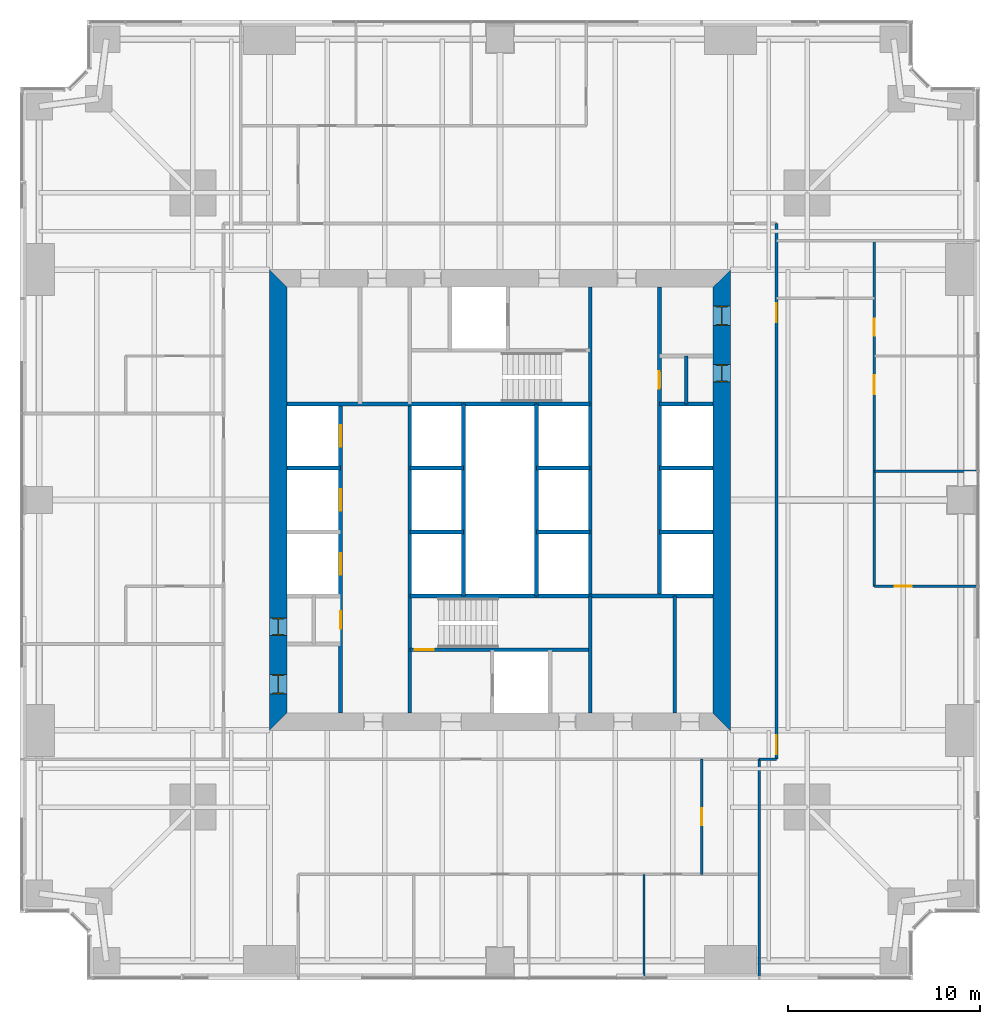
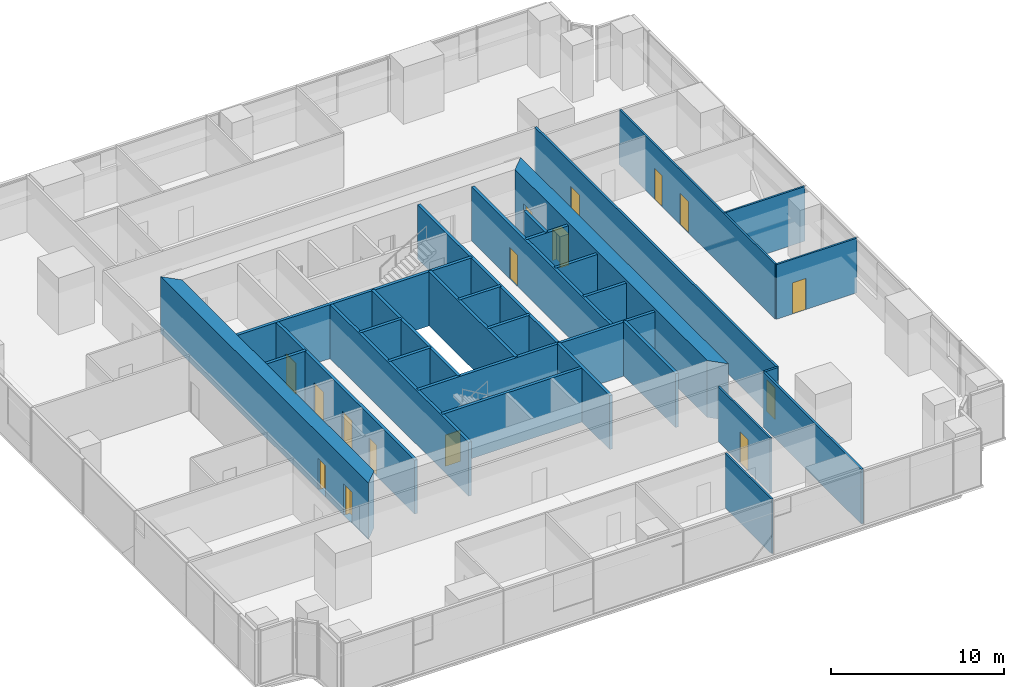
# One storey, part 10 of 16: 30 walls, 16 doors, 16 openings.
"""IFC4 building model written with IfcOpenShell, lengths in metres."""

from ifc_helpers import new_model, si_unit, direction, frame, frame_2d, origin, place, context, subcontext, project, spatial, polyline, rectangle, outline, extrude, material, layer, layer_set, type_object, element, fill, save


model = new_model("IFC4")

# Units and contexts
model_context = context("Model", 3, precision=1e-05, world=origin(), true_north=direction((0.0, 1.0)))
body_context = subcontext(model_context, "Body", "Model", "MODEL_VIEW")
ifc_project = project(units=[si_unit("LENGTHUNIT", "METRE"), si_unit("AREAUNIT", "SQUARE_METRE"), si_unit("VOLUMEUNIT", "CUBIC_METRE"), si_unit("PLANEANGLEUNIT", "RADIAN"), si_unit("MASSUNIT", "GRAM", prefix="KILO")], contexts=[model_context])

# Site, building, storey
site_placement = place(None, origin())
site = spatial("IfcSite", under=ifc_project, at=site_placement, CompositionType="ELEMENT")
building_placement = place(site_placement, origin())
building = spatial("IfcBuilding", under=site, at=building_placement, Name="Fenwick Lantern Interchange", CompositionType="ELEMENT")
storey_placement = place(building_placement, frame((0.0, 0.0, 75.0)))
storey = spatial("IfcBuildingStorey", under=building, at=storey_placement, Name="L17", CompositionType="ELEMENT", Elevation=75.0)

# Wall, openings, doors
ifc_material_1 = material(Name="Concrete masonry ASTM C90 Grade N", Category="masonry")
ifc_layer_1 = layer(ifc_material_1, 0.199951171875)
ifc_layer_set_1 = layer_set([ifc_layer_1], Name="Concrete masonry ASTM C90 Grade N")
wall_type_1 = type_object("IfcWallType", Name="CORE PARTITION 200", PredefinedType="PARTITIONING", material=ifc_layer_set_1)
wall_1_placement = place(storey_placement, frame((16.699951171875, 13.89990234375, 0.0), z_axis=(0.0, 0.0, 1.0), x_axis=(0.0, 1.0, 0.0)))
wall_1 = element("IfcWall", 1, at=wall_1_placement, inside=storey, type_object=wall_type_1, Name="L17/W/CORES/a", PredefinedType="PARTITIONING", context=body_context, shape_type="SweptSolid", body=[
    extrude(rectangle(XDim=16.10009765625, YDim=0.199951171875, at=frame_2d((8.050048828125, 0.0))), origin(), (0.0, 0.0, 1.0), 3.800048828125),
])
opening_1_placement = place(wall_1_placement, frame((4.39990234375, 0.0, 0.0)))
opening_1 = element("IfcOpeningElement", 2, at=opening_1_placement, cuts=wall_1, Name="Opening L17-D008", PredefinedType="OPENING", context=body_context, shape_type="SweptSolid", body=[
    extrude(rectangle(XDim=0.89990234375, YDim=2.199951171875, at=frame_2d((0.449951171875, 1.10009765625))), frame((0.0, 0.10986328125, 0.0), z_axis=(0.0, -1.0, 0.0), x_axis=(1.0, 0.0, 0.0)), (0.0, 0.0, 1.0), 0.219970703125),
])
opening_2_placement = place(wall_1_placement, frame((7.216552734375, 0.0, 0.0)))
opening_2 = element("IfcOpeningElement", 3, at=opening_2_placement, cuts=wall_1, Name="Opening LD-W1-1", PredefinedType="OPENING", context=body_context, shape_type="SweptSolid", body=[
    extrude(rectangle(XDim=1.10009765625, YDim=2.199951171875, at=frame_2d((0.550048828125, 1.10009765625))), frame((0.0, 0.10986328125, 0.0), z_axis=(0.0, -1.0, 0.0), x_axis=(1.0, 0.0, 0.0)), (0.0, 0.0, 1.0), 0.219970703125),
])
opening_3_placement = place(wall_1_placement, frame((10.550048828125, 0.0, 0.0)))
opening_3 = element("IfcOpeningElement", 4, at=opening_3_placement, cuts=wall_1, Name="Opening LD-W1-2", PredefinedType="OPENING", context=body_context, shape_type="SweptSolid", body=[
    extrude(rectangle(XDim=1.10009765625, YDim=2.199951171875, at=frame_2d((0.550048828125, 1.10009765625))), frame((0.0, 0.10986328125, 0.0), z_axis=(0.0, -1.0, 0.0), x_axis=(1.0, 0.0, 0.0)), (0.0, 0.0, 1.0), 0.219970703125),
])
opening_4_placement = place(wall_1_placement, frame((13.88330078125, 0.0, 0.0)))
opening_4 = element("IfcOpeningElement", 5, at=opening_4_placement, cuts=wall_1, Name="Opening LD-W1-3", PredefinedType="OPENING", context=body_context, shape_type="SweptSolid", body=[
    extrude(rectangle(XDim=1.10009765625, YDim=2.199951171875, at=frame_2d((0.550048828125, 1.10009765625))), frame((0.0, 0.10986328125, 0.0), z_axis=(0.0, -1.0, 0.0), x_axis=(1.0, 0.0, 0.0)), (0.0, 0.0, 1.0), 0.219970703125),
])
ifc_material_2 = material(Name="Steel door and frame", Category="steel")
door_type_1 = type_object("IfcDoorType", Name="LIFT LANDING DOOR 1100 X 2200", OperationType="DOUBLE_DOOR_SLIDING", PredefinedType="DOOR", material=ifc_material_2)
door_1_placement = place(opening_2_placement, origin())
door_1 = element("IfcDoor", 6, at=door_1_placement, inside=storey, type_object=door_type_1, Name="Lift landing door W1-1", OperationType="DOUBLE_DOOR_SLIDING", OverallHeight=2.199951171875, OverallWidth=1.10009765625, PredefinedType="DOOR", context=body_context, shape_type="SweptSolid", body=[
    extrude(rectangle(XDim=1.10009765625, YDim=2.199951171875, at=frame_2d((0.550048828125, 1.10009765625))), frame((0.0, 0.02490234375, 0.0), z_axis=(0.0, -1.0, 0.0), x_axis=(1.0, 0.0, 0.0)), (0.0, 0.0, 1.0), 0.050048828125),
])
fill(opening_2, door_1)
door_2_placement = place(opening_3_placement, origin())
door_2 = element("IfcDoor", 7, at=door_2_placement, inside=storey, type_object=door_type_1, Name="Lift landing door W1-2", OperationType="DOUBLE_DOOR_SLIDING", OverallHeight=2.199951171875, OverallWidth=1.10009765625, PredefinedType="DOOR", context=body_context, shape_type="SweptSolid", body=[
    extrude(rectangle(XDim=1.10009765625, YDim=2.199951171875, at=frame_2d((0.550048828125, 1.10009765625))), frame((0.0, 0.02490234375, 0.0), z_axis=(0.0, -1.0, 0.0), x_axis=(1.0, 0.0, 0.0)), (0.0, 0.0, 1.0), 0.050048828125),
])
fill(opening_3, door_2)
door_3_placement = place(opening_4_placement, origin())
door_3 = element("IfcDoor", 8, at=door_3_placement, inside=storey, type_object=door_type_1, Name="Lift landing door W1-3", OperationType="DOUBLE_DOOR_SLIDING", OverallHeight=2.199951171875, OverallWidth=1.10009765625, PredefinedType="DOOR", context=body_context, shape_type="SweptSolid", body=[
    extrude(rectangle(XDim=1.10009765625, YDim=2.199951171875, at=frame_2d((0.550048828125, 1.10009765625))), frame((0.0, 0.02490234375, 0.0), z_axis=(0.0, -1.0, 0.0), x_axis=(1.0, 0.0, 0.0)), (0.0, 0.0, 1.0), 0.050048828125),
])
fill(opening_4, door_3)
door_type_2 = type_object("IfcDoorType", Name="SERVICE DOOR 900 X 2200", OperationType="SINGLE_SWING_LEFT", PredefinedType="DOOR", material=ifc_material_2)
door_4_placement = place(opening_1_placement, origin())
door_4 = element("IfcDoor", 9, at=door_4_placement, inside=storey, type_object=door_type_2, Name="Service door", OperationType="SINGLE_SWING_LEFT", OverallHeight=2.199951171875, OverallWidth=0.89990234375, PredefinedType="DOOR", context=body_context, shape_type="SweptSolid", body=[
    extrude(rectangle(XDim=0.89990234375, YDim=2.199951171875, at=frame_2d((0.449951171875, 1.10009765625))), frame((0.0, 0.02490234375, 0.0), z_axis=(0.0, -1.0, 0.0), x_axis=(1.0, 0.0, 0.0)), (0.0, 0.0, 1.0), 0.050048828125),
])
fill(opening_1, door_4)

# Walls
for number, where, z_axis, x_axis, name in (
    (10, (13.89990234375, 26.666748046875, 0.0), (0.0, 0.0, 1.0), (1.0, 0.0, 0.0), "L17/W/CORES/d2"),
    (11, (20.300048828125, 23.333251953125, 0.0), (0.0, 0.0, 1.0), (1.0, 0.0, 0.0), "L17/W/CORES/e1"),
    (12, (20.300048828125, 26.666748046875, 0.0), (0.0, 0.0, 1.0), (1.0, 0.0, 0.0), "L17/W/CORES/e2"),
):
    element("IfcWall", number, at=place(storey_placement, frame(where, z_axis=z_axis, x_axis=x_axis)), inside=storey, type_object=wall_type_1, Name=name, PredefinedType="PARTITIONING", context=body_context, shape_type="SweptSolid", body=[
        extrude(rectangle(XDim=2.800048828125, YDim=0.199951171875, at=frame_2d((1.39990234375, 0.0))), origin(), (0.0, 0.0, 1.0), 3.800048828125),
    ])
wall_2_placement = place(storey_placement, frame((23.10009765625, 20.0, 0.0), z_axis=(0.0, 0.0, 1.0), x_axis=(0.0, 1.0, 0.0)))
element("IfcWall", 13, at=wall_2_placement, inside=storey, type_object=wall_type_1, Name="L17/W/CORES/e3", PredefinedType="PARTITIONING", context=body_context, shape_type="SweptSolid", body=[
    extrude(rectangle(XDim=10.0, YDim=0.199951171875, at=frame_2d((5.0, 0.0))), origin(), (0.0, 0.0, 1.0), 3.800048828125),
])
wall_3_placement = place(storey_placement, frame((34.10009765625, 13.89990234375, 0.0), z_axis=(0.0, 0.0, 1.0), x_axis=(0.0, 1.0, 0.0)))
element("IfcWall", 14, at=wall_3_placement, inside=storey, type_object=wall_type_1, Name="L17/W/CORES/i2", PredefinedType="PARTITIONING", context=body_context, shape_type="SweptSolid", body=[
    extrude(rectangle(XDim=6.10009765625, YDim=0.199951171875, at=frame_2d((3.050048828125, 0.0))), origin(), (0.0, 0.0, 1.0), 3.800048828125),
])

# Wall, opening, door
wall_4_placement = place(storey_placement, frame((33.300048828125, 36.10009765625, 0.0), z_axis=(0.0, 0.0, 1.0), x_axis=(0.0, -1.0, 0.0)))
wall_4 = element("IfcWall", 15, at=wall_4_placement, inside=storey, type_object=wall_type_1, Name="L17/W/COREN/a", PredefinedType="PARTITIONING", context=body_context, shape_type="SweptSolid", body=[
    extrude(rectangle(XDim=16.10009765625, YDim=0.199951171875, at=frame_2d((8.050048828125, 0.0))), origin(), (0.0, 0.0, 1.0), 3.800048828125),
])
opening_5_placement = place(wall_4_placement, frame((4.39990234375, 0.0, 0.0)))
opening_5 = element("IfcOpeningElement", 16, at=opening_5_placement, cuts=wall_4, Name="Opening L17-D017", PredefinedType="OPENING", context=body_context, shape_type="SweptSolid", body=[
    extrude(rectangle(XDim=0.89990234375, YDim=2.199951171875, at=frame_2d((0.449951171875, 1.10009765625))), frame((0.0, 0.10986328125, 0.0), z_axis=(0.0, -1.0, 0.0), x_axis=(1.0, 0.0, 0.0)), (0.0, 0.0, 1.0), 0.219970703125),
])
door_5_placement = place(opening_5_placement, origin())
door_5 = element("IfcDoor", 17, at=door_5_placement, inside=storey, type_object=door_type_2, Name="Service door", OperationType="SINGLE_SWING_LEFT", OverallHeight=2.199951171875, OverallWidth=0.89990234375, PredefinedType="DOOR", context=body_context, shape_type="SweptSolid", body=[
    extrude(rectangle(XDim=0.89990234375, YDim=2.199951171875, at=frame_2d((0.449951171875, 1.10009765625))), frame((0.0, 0.02490234375, 0.0), z_axis=(0.0, -1.0, 0.0), x_axis=(1.0, 0.0, 0.0)), (0.0, 0.0, 1.0), 0.050048828125),
])
fill(opening_5, door_5)

# Walls
for number, where, z_axis, x_axis, name in (
    (18, (36.10009765625, 30.0, 0.0), (0.0, 0.0, 1.0), (-1.0, 0.0, 0.0), "L17/W/COREN/c2"),
    (19, (36.10009765625, 26.666748046875, 0.0), (0.0, 0.0, 1.0), (-1.0, 0.0, 0.0), "L17/W/COREN/d1"),
    (20, (36.10009765625, 23.333251953125, 0.0), (0.0, 0.0, 1.0), (-1.0, 0.0, 0.0), "L17/W/COREN/d2"),
    (21, (29.699951171875, 26.666748046875, 0.0), (0.0, 0.0, 1.0), (-1.0, 0.0, 0.0), "L17/W/COREN/e1"),
    (22, (29.699951171875, 23.333251953125, 0.0), (0.0, 0.0, 1.0), (-1.0, 0.0, 0.0), "L17/W/COREN/e2"),
):
    element("IfcWall", number, at=place(storey_placement, frame(where, z_axis=z_axis, x_axis=x_axis)), inside=storey, type_object=wall_type_1, Name=name, PredefinedType="PARTITIONING", context=body_context, shape_type="SweptSolid", body=[
        extrude(rectangle(XDim=2.800048828125, YDim=0.199951171875, at=frame_2d((1.39990234375, 0.0))), origin(), (0.0, 0.0, 1.0), 3.800048828125),
    ])
wall_5_placement = place(storey_placement, frame((26.89990234375, 30.0, 0.0), z_axis=(0.0, 0.0, 1.0), x_axis=(0.0, -1.0, 0.0)))
element("IfcWall", 23, at=wall_5_placement, inside=storey, type_object=wall_type_1, Name="L17/W/COREN/e3", PredefinedType="PARTITIONING", context=body_context, shape_type="SweptSolid", body=[
    extrude(rectangle(XDim=10.0, YDim=0.199951171875, at=frame_2d((5.0, 0.0))), origin(), (0.0, 0.0, 1.0), 3.800048828125),
])
wall_6_placement = place(storey_placement, frame((34.699951171875, 32.5, 0.0), z_axis=(0.0, 0.0, 1.0), x_axis=(0.0, -1.0, 0.0)))
element("IfcWall", 24, at=wall_6_placement, inside=storey, type_object=wall_type_1, Name="L17/W/COREN/px", PredefinedType="PARTITIONING", context=body_context, shape_type="SweptSolid", body=[
    extrude(rectangle(XDim=2.5, YDim=0.199951171875, at=frame_2d((1.25, 0.0))), origin(), (0.0, 0.0, 1.0), 3.800048828125),
])

# Wall, openings, doors
ifc_material_3 = material(Name="Concrete f'c 70 MPa", Category="concrete")
ifc_layer_2 = layer(ifc_material_3, 0.89990234375)
ifc_layer_set_2 = layer_set([ifc_layer_2], Name="CORE WALL 900")
wall_type_2 = type_object("IfcWallType", Name="CORE WALL 900", PredefinedType="SHEAR", material=ifc_layer_set_2)
wall_7_placement = place(storey_placement, frame((36.550048828125, 13.89990234375, 0.0), z_axis=(0.0, 0.0, 1.0), x_axis=(0.0, 1.0, 0.0)))
wall_7 = element("IfcWall", 25, at=wall_7_placement, inside=storey, type_object=wall_type_2, Name="L17/CORE/E", PredefinedType="SHEAR", context=body_context, shape_type="SweptSolid", body=[
    extrude(outline(polyline([(-0.89990234375, -0.449951171875), (23.10009765625, -0.449951171875), (22.199951171875, 0.449951171875), (0.0, 0.449951171875), (-0.89990234375, -0.449951171875)])), origin(), (0.0, 0.0, 1.0), 4.0),
])
opening_6_placement = place(wall_7_placement, frame((20.199951171875, 0.0, 0.0)))
opening_6 = element("IfcOpeningElement", 26, at=opening_6_placement, cuts=wall_7, Name="Opening L17-D016", PredefinedType="OPENING", context=body_context, shape_type="SweptSolid", body=[
    extrude(rectangle(XDim=1.0, YDim=2.199951171875, at=frame_2d((0.5, 1.10009765625))), frame((0.0, 0.4599609375, 0.0), z_axis=(0.0, -1.0, 0.0), x_axis=(1.0, 0.0, 0.0)), (0.0, 0.0, 1.0), 0.919921875),
])
opening_7_placement = place(wall_7_placement, frame((17.25, 0.0, 0.0)))
opening_7 = element("IfcOpeningElement", 27, at=opening_7_placement, cuts=wall_7, Name="Opening L17-D018", PredefinedType="OPENING", context=body_context, shape_type="SweptSolid", body=[
    extrude(rectangle(XDim=0.89990234375, YDim=2.199951171875, at=frame_2d((0.449951171875, 1.10009765625))), frame((0.0, 0.4599609375, 0.0), z_axis=(0.0, -1.0, 0.0), x_axis=(1.0, 0.0, 0.0)), (0.0, 0.0, 1.0), 0.919921875),
])
door_6_placement = place(opening_7_placement, origin())
door_6 = element("IfcDoor", 28, at=door_6_placement, inside=storey, type_object=door_type_2, Name="Service door", OperationType="SINGLE_SWING_RIGHT", OverallHeight=2.199951171875, OverallWidth=0.89990234375, PredefinedType="DOOR", context=body_context, shape_type="SweptSolid", body=[
    extrude(rectangle(XDim=0.89990234375, YDim=2.199951171875, at=frame_2d((0.449951171875, 1.10009765625))), frame((0.0, 0.02490234375, 0.0), z_axis=(0.0, -1.0, 0.0), x_axis=(1.0, 0.0, 0.0)), (0.0, 0.0, 1.0), 0.050048828125),
    extrude(outline(polyline([(0.0, 0.0), (0.0400390625, 0.0), (0.0400390625, 2.159912109375), (0.85986328125, 2.159912109375), (0.85986328125, 0.0), (0.89990234375, 0.0), (0.89990234375, 2.199951171875), (0.0, 2.199951171875), (0.0, 0.0)])), frame((0.0, 0.300048828125, 0.0), z_axis=(0.0, -1.0, 0.0), x_axis=(1.0, 0.0, 0.0)), (0.0, 0.0, 1.0), 0.60009765625),
])
fill(opening_7, door_6)
ifc_material_4 = material(Name="Hardwood door and steel frame", Category="steel")
door_type_3 = type_object("IfcDoorType", Name="WC DOOR 1000 X 2200", OperationType="SINGLE_SWING_LEFT", PredefinedType="DOOR", material=ifc_material_4)
door_7_placement = place(opening_6_placement, origin())
door_7 = element("IfcDoor", 29, at=door_7_placement, inside=storey, type_object=door_type_3, Name="Wc door", OperationType="SINGLE_SWING_RIGHT", OverallHeight=2.199951171875, OverallWidth=1.0, PredefinedType="DOOR", context=body_context, shape_type="SweptSolid", body=[
    extrude(rectangle(XDim=1.0, YDim=2.199951171875, at=frame_2d((0.5, 1.10009765625))), frame((0.0, 0.02490234375, 0.0), z_axis=(0.0, -1.0, 0.0), x_axis=(1.0, 0.0, 0.0)), (0.0, 0.0, 1.0), 0.050048828125),
    extrude(outline(polyline([(0.0, 0.0), (0.0400390625, 0.0), (0.0400390625, 2.159912109375), (0.9599609375, 2.159912109375), (0.9599609375, 0.0), (1.0, 0.0), (1.0, 2.199951171875), (0.0, 2.199951171875), (0.0, 0.0)])), frame((0.0, 0.300048828125, 0.0), z_axis=(0.0, -1.0, 0.0), x_axis=(1.0, 0.0, 0.0)), (0.0, 0.0, 1.0), 0.60009765625),
])
fill(opening_6, door_7)

wall_8_placement = place(storey_placement, frame((13.449951171875, 36.10009765625, 0.0), z_axis=(0.0, 0.0, 1.0), x_axis=(0.0, -1.0, 0.0)))
wall_8 = element("IfcWall", 30, at=wall_8_placement, inside=storey, type_object=wall_type_2, Name="L17/CORE/W", PredefinedType="SHEAR", context=body_context, shape_type="SweptSolid", body=[
    extrude(outline(polyline([(-0.89990234375, -0.449951171875), (23.10009765625, -0.449951171875), (22.199951171875, 0.449951171875), (0.0, 0.449951171875), (-0.89990234375, -0.449951171875)])), origin(), (0.0, 0.0, 1.0), 4.0),
])
opening_8_placement = place(wall_8_placement, frame((20.199951171875, 0.0, 0.0)))
opening_8 = element("IfcOpeningElement", 31, at=opening_8_placement, cuts=wall_8, Name="Opening L17-D007", PredefinedType="OPENING", context=body_context, shape_type="SweptSolid", body=[
    extrude(rectangle(XDim=1.0, YDim=2.199951171875, at=frame_2d((0.5, 1.10009765625))), frame((0.0, 0.4599609375, 0.0), z_axis=(0.0, -1.0, 0.0), x_axis=(1.0, 0.0, 0.0)), (0.0, 0.0, 1.0), 0.919921875),
])
opening_9_placement = place(wall_8_placement, frame((17.25, 0.0, 0.0)))
opening_9 = element("IfcOpeningElement", 32, at=opening_9_placement, cuts=wall_8, Name="Opening L17-D009", PredefinedType="OPENING", context=body_context, shape_type="SweptSolid", body=[
    extrude(rectangle(XDim=0.89990234375, YDim=2.199951171875, at=frame_2d((0.449951171875, 1.10009765625))), frame((0.0, 0.4599609375, 0.0), z_axis=(0.0, -1.0, 0.0), x_axis=(1.0, 0.0, 0.0)), (0.0, 0.0, 1.0), 0.919921875),
])
door_8_placement = place(opening_9_placement, origin())
door_8 = element("IfcDoor", 33, at=door_8_placement, inside=storey, type_object=door_type_2, Name="Service door", OperationType="SINGLE_SWING_RIGHT", OverallHeight=2.199951171875, OverallWidth=0.89990234375, PredefinedType="DOOR", context=body_context, shape_type="SweptSolid", body=[
    extrude(rectangle(XDim=0.89990234375, YDim=2.199951171875, at=frame_2d((0.449951171875, 1.10009765625))), frame((0.0, 0.02490234375, 0.0), z_axis=(0.0, -1.0, 0.0), x_axis=(1.0, 0.0, 0.0)), (0.0, 0.0, 1.0), 0.050048828125),
    extrude(outline(polyline([(0.0, 0.0), (0.0400390625, 0.0), (0.0400390625, 2.159912109375), (0.85986328125, 2.159912109375), (0.85986328125, 0.0), (0.89990234375, 0.0), (0.89990234375, 2.199951171875), (0.0, 2.199951171875), (0.0, 0.0)])), frame((0.0, 0.300048828125, 0.0), z_axis=(0.0, -1.0, 0.0), x_axis=(1.0, 0.0, 0.0)), (0.0, 0.0, 1.0), 0.60009765625),
])
fill(opening_9, door_8)
door_9_placement = place(opening_8_placement, origin())
door_9 = element("IfcDoor", 34, at=door_9_placement, inside=storey, type_object=door_type_3, Name="Wc door", OperationType="SINGLE_SWING_RIGHT", OverallHeight=2.199951171875, OverallWidth=1.0, PredefinedType="DOOR", context=body_context, shape_type="SweptSolid", body=[
    extrude(rectangle(XDim=1.0, YDim=2.199951171875, at=frame_2d((0.5, 1.10009765625))), frame((0.0, 0.02490234375, 0.0), z_axis=(0.0, -1.0, 0.0), x_axis=(1.0, 0.0, 0.0)), (0.0, 0.0, 1.0), 0.050048828125),
    extrude(outline(polyline([(0.0, 0.0), (0.0400390625, 0.0), (0.0400390625, 2.159912109375), (0.9599609375, 2.159912109375), (0.9599609375, 0.0), (1.0, 0.0), (1.0, 2.199951171875), (0.0, 2.199951171875), (0.0, 0.0)])), frame((0.0, 0.300048828125, 0.0), z_axis=(0.0, -1.0, 0.0), x_axis=(1.0, 0.0, 0.0)), (0.0, 0.0, 1.0), 0.60009765625),
])
fill(opening_8, door_9)

# Wall
ifc_material_5 = material(Name="Gypsum board on steel studs, 1 hour", Category="steel")
ifc_layer_3 = layer(ifc_material_5, 0.14990234375)
ifc_layer_set_3 = layer_set([ifc_layer_3], Name="CORRIDOR WALL 150")
wall_type_3 = type_object("IfcWallType", Name="CORRIDOR WALL 150", PredefinedType="PARTITIONING", material=ifc_layer_set_3)
wall_9_placement = place(storey_placement, frame((38.5, 11.5, 0.0), z_axis=(0.0, 0.0, 1.0), x_axis=(1.0, 0.0, 0.0)))
element("IfcWall", 35, at=wall_9_placement, inside=storey, type_object=wall_type_3, Name="L17/W/OFF/E/CWJ", PredefinedType="PARTITIONING", context=body_context, shape_type="SweptSolid", body=[
    extrude(rectangle(XDim=0.89990234375, YDim=0.14990234375, at=frame_2d((0.449951171875, 0.0))), origin(), (0.0, 0.0, 1.0), 3.85009765625),
])

# Wall, openings, doors
wall_10_placement = place(storey_placement, frame((39.39990234375, 11.5, 0.0), z_axis=(0.0, 0.0, 1.0), x_axis=(0.0, 1.0, 0.0)))
wall_10 = element("IfcWall", 36, at=wall_10_placement, inside=storey, type_object=wall_type_3, Name="L17/W/OFF/E/CW2", PredefinedType="PARTITIONING", context=body_context, shape_type="SweptSolid", body=[
    extrude(rectangle(XDim=27.89990234375, YDim=0.14990234375, at=frame_2d((13.949951171875, 0.0))), origin(), (0.0, 0.0, 1.0), 3.85009765625),
])
opening_10_placement = place(wall_10_placement, frame((0.25, 0.0, 0.0)))
opening_10 = element("IfcOpeningElement", 37, at=opening_10_placement, cuts=wall_10, Name="Opening L17-D025", PredefinedType="OPENING", context=body_context, shape_type="SweptSolid", body=[
    extrude(rectangle(XDim=1.0, YDim=2.199951171875, at=frame_2d((0.5, 1.10009765625))), frame((0.0, 0.0849609375, 0.0), z_axis=(0.0, -1.0, 0.0), x_axis=(1.0, 0.0, 0.0)), (0.0, 0.0, 1.0), 0.169921875),
])
opening_11_placement = place(wall_10_placement, frame((22.75, 0.0, 0.0)))
opening_11 = element("IfcOpeningElement", 38, at=opening_11_placement, cuts=wall_10, Name="Opening L17-D026", PredefinedType="OPENING", context=body_context, shape_type="SweptSolid", body=[
    extrude(rectangle(XDim=1.0, YDim=2.199951171875, at=frame_2d((0.5, 1.10009765625))), frame((0.0, 0.0849609375, 0.0), z_axis=(0.0, -1.0, 0.0), x_axis=(1.0, 0.0, 0.0)), (0.0, 0.0, 1.0), 0.169921875),
])
door_type_4 = type_object("IfcDoorType", Name="SUITE ENTRANCE DOOR 1000 X 2200", OperationType="SINGLE_SWING_LEFT", PredefinedType="DOOR", material=ifc_material_2)
door_10_placement = place(opening_10_placement, origin())
door_10 = element("IfcDoor", 39, at=door_10_placement, inside=storey, type_object=door_type_4, Name="Suite entrance door", OperationType="SINGLE_SWING_LEFT", OverallHeight=2.199951171875, OverallWidth=1.0, PredefinedType="DOOR", context=body_context, shape_type="SweptSolid", body=[
    extrude(rectangle(XDim=1.0, YDim=2.199951171875, at=frame_2d((0.5, 1.10009765625))), frame((0.0, 0.02490234375, 0.0), z_axis=(0.0, -1.0, 0.0), x_axis=(1.0, 0.0, 0.0)), (0.0, 0.0, 1.0), 0.050048828125),
])
fill(opening_10, door_10)
door_11_placement = place(opening_11_placement, origin())
door_11 = element("IfcDoor", 40, at=door_11_placement, inside=storey, type_object=door_type_4, Name="Suite entrance door", OperationType="SINGLE_SWING_RIGHT", OverallHeight=2.199951171875, OverallWidth=1.0, PredefinedType="DOOR", context=body_context, shape_type="SweptSolid", body=[
    extrude(rectangle(XDim=1.0, YDim=2.199951171875, at=frame_2d((0.5, 1.10009765625))), frame((0.0, 0.02490234375, 0.0), z_axis=(0.0, -1.0, 0.0), x_axis=(1.0, 0.0, 0.0)), (0.0, 0.0, 1.0), 0.050048828125),
])
fill(opening_11, door_11)

# Wall
ifc_material_6 = material(Name="Gypsum board on steel studs, acoustic", Category="steel")
ifc_layer_4 = layer(ifc_material_6, 0.125)
ifc_layer_set_4 = layer_set([ifc_layer_4], Name="OFFICE PARTITION 125")
wall_type_4 = type_object("IfcWallType", Name="OFFICE PARTITION 125", PredefinedType="PARTITIONING", material=ifc_layer_set_4)
wall_11_placement = place(storey_placement, frame((32.5, 0.14990234375, 0.0), z_axis=(0.0, 0.0, 1.0), x_axis=(0.0, 1.0, 0.0)))
element("IfcWall", 41, at=wall_11_placement, inside=storey, type_object=wall_type_4, Name="L17/W/OFF/S/X325-1", PredefinedType="PARTITIONING", context=body_context, shape_type="SweptSolid", body=[
    extrude(rectangle(XDim=5.35009765625, YDim=0.125, at=frame_2d((2.675048828125, 0.0))), origin(), (0.0, 0.0, 1.0), 3.85009765625),
])

# Wall, opening, door
wall_12_placement = place(storey_placement, frame((35.5, 5.5, 0.0), z_axis=(0.0, 0.0, 1.0), x_axis=(0.0, 1.0, 0.0)))
wall_12 = element("IfcWall", 42, at=wall_12_placement, inside=storey, type_object=wall_type_4, Name="L17/W/OFF/S/X355-1", PredefinedType="PARTITIONING", context=body_context, shape_type="SweptSolid", body=[
    extrude(rectangle(XDim=6.0, YDim=0.125, at=frame_2d((3.0, 0.0))), origin(), (0.0, 0.0, 1.0), 3.85009765625),
])
opening_12_placement = place(wall_12_placement, frame((2.550048828125, 0.0, 0.0)))
opening_12 = element("IfcOpeningElement", 43, at=opening_12_placement, cuts=wall_12, Name="Opening L17-D024", PredefinedType="OPENING", context=body_context, shape_type="SweptSolid", body=[
    extrude(rectangle(XDim=0.89990234375, YDim=2.199951171875, at=frame_2d((0.449951171875, 1.10009765625))), frame((0.0, 0.072509765625, 0.0), z_axis=(0.0, -1.0, 0.0), x_axis=(1.0, 0.0, 0.0)), (0.0, 0.0, 1.0), 0.14501953125),
])
door_type_5 = type_object("IfcDoorType", Name="OFFICE DOOR 900 X 2200", OperationType="SINGLE_SWING_LEFT", PredefinedType="DOOR", material=ifc_material_4)
door_12_placement = place(opening_12_placement, frame((0.89990234375, 0.0, 0.0), z_axis=(0.0, 0.0, 1.0), x_axis=(-1.0, 0.0, 0.0)))
door_12 = element("IfcDoor", 44, at=door_12_placement, inside=storey, type_object=door_type_5, Name="Office door", OperationType="SINGLE_SWING_RIGHT", OverallHeight=2.199951171875, OverallWidth=0.89990234375, PredefinedType="DOOR", context=body_context, shape_type="SweptSolid", body=[
    extrude(rectangle(XDim=0.89990234375, YDim=2.199951171875, at=frame_2d((0.449951171875, 1.10009765625))), frame((0.0, 0.02490234375, 0.0), z_axis=(0.0, -1.0, 0.0), x_axis=(1.0, 0.0, 0.0)), (0.0, 0.0, 1.0), 0.050048828125),
])
fill(opening_12, door_12)

wall_13_placement = place(storey_placement, frame((49.85009765625, 20.5, 0.0), z_axis=(0.0, 0.0, 1.0), x_axis=(-1.0, 0.0, 0.0)))
wall_13 = element("IfcWall", 45, at=wall_13_placement, inside=storey, type_object=wall_type_4, Name="L17/W/OFF/E/X205-1", PredefinedType="PARTITIONING", context=body_context, shape_type="SweptSolid", body=[
    extrude(rectangle(XDim=5.35009765625, YDim=0.125, at=frame_2d((2.675048828125, 0.0))), origin(), (0.0, 0.0, 1.0), 3.85009765625),
])
opening_13_placement = place(wall_13_placement, frame((3.39990234375, 0.0, 0.0)))
opening_13 = element("IfcOpeningElement", 46, at=opening_13_placement, cuts=wall_13, Name="Opening L17-D027", PredefinedType="OPENING", context=body_context, shape_type="SweptSolid", body=[
    extrude(rectangle(XDim=0.89990234375, YDim=2.199951171875, at=frame_2d((0.449951171875, 1.10009765625))), frame((0.0, 0.072509765625, 0.0), z_axis=(0.0, -1.0, 0.0), x_axis=(1.0, 0.0, 0.0)), (0.0, 0.0, 1.0), 0.14501953125),
])
door_13_placement = place(opening_13_placement, frame((0.89990234375, 0.0, 0.0), z_axis=(0.0, 0.0, 1.0), x_axis=(-1.0, 0.0, 0.0)))
door_13 = element("IfcDoor", 47, at=door_13_placement, inside=storey, type_object=door_type_5, Name="Office door", OperationType="SINGLE_SWING_LEFT", OverallHeight=2.199951171875, OverallWidth=0.89990234375, PredefinedType="DOOR", context=body_context, shape_type="SweptSolid", body=[
    extrude(rectangle(XDim=0.89990234375, YDim=2.199951171875, at=frame_2d((0.449951171875, 1.10009765625))), frame((0.0, 0.02490234375, 0.0), z_axis=(0.0, -1.0, 0.0), x_axis=(1.0, 0.0, 0.0)), (0.0, 0.0, 1.0), 0.050048828125),
])
fill(opening_13, door_13)

# Wall
wall_14_placement = place(storey_placement, frame((49.85009765625, 26.5, 0.0), z_axis=(0.0, 0.0, 1.0), x_axis=(-1.0, 0.0, 0.0)))
element("IfcWall", 48, at=wall_14_placement, inside=storey, type_object=wall_type_4, Name="L17/W/OFF/E/X265-1", PredefinedType="PARTITIONING", context=body_context, shape_type="SweptSolid", body=[
    extrude(rectangle(XDim=5.35009765625, YDim=0.125, at=frame_2d((2.675048828125, 0.0))), origin(), (0.0, 0.0, 1.0), 3.85009765625),
])

# Wall, openings, doors
wall_15_placement = place(storey_placement, frame((44.5, 20.5, 0.0), z_axis=(0.0, 0.0, 1.0), x_axis=(0.0, 1.0, 0.0)))
wall_15 = element("IfcWall", 49, at=wall_15_placement, inside=storey, type_object=wall_type_4, Name="L17/W/OFF/E/Y55-1", PredefinedType="PARTITIONING", context=body_context, shape_type="SweptSolid", body=[
    extrude(rectangle(XDim=18.0, YDim=0.125, at=frame_2d((9.0, 0.0))), origin(), (0.0, 0.0, 1.0), 3.85009765625),
])
opening_14_placement = place(wall_15_placement, frame((10.0, 0.0, 0.0)))
opening_14 = element("IfcOpeningElement", 50, at=opening_14_placement, cuts=wall_15, Name="Opening L17-D028", PredefinedType="OPENING", context=body_context, shape_type="SweptSolid", body=[
    extrude(rectangle(XDim=1.0, YDim=2.199951171875, at=frame_2d((0.5, 1.10009765625))), frame((0.0, 0.072509765625, 0.0), z_axis=(0.0, -1.0, 0.0), x_axis=(1.0, 0.0, 0.0)), (0.0, 0.0, 1.0), 0.14501953125),
])
opening_15_placement = place(wall_15_placement, frame((13.050048828125, 0.0, 0.0)))
opening_15 = element("IfcOpeningElement", 51, at=opening_15_placement, cuts=wall_15, Name="Opening L17-D029", PredefinedType="OPENING", context=body_context, shape_type="SweptSolid", body=[
    extrude(rectangle(XDim=0.89990234375, YDim=2.199951171875, at=frame_2d((0.449951171875, 1.10009765625))), frame((0.0, 0.072509765625, 0.0), z_axis=(0.0, -1.0, 0.0), x_axis=(1.0, 0.0, 0.0)), (0.0, 0.0, 1.0), 0.14501953125),
])
door_type_6 = type_object("IfcDoorType", Name="MEETING ROOM DOOR 1000 X 2200", OperationType="SINGLE_SWING_LEFT", PredefinedType="DOOR", material=ifc_material_4)
door_14_placement = place(opening_14_placement, frame((1.0, 0.0, 0.0), z_axis=(0.0, 0.0, 1.0), x_axis=(-1.0, 0.0, 0.0)))
door_14 = element("IfcDoor", 52, at=door_14_placement, inside=storey, type_object=door_type_6, Name="Meeting room door", OperationType="SINGLE_SWING_LEFT", OverallHeight=2.199951171875, OverallWidth=1.0, PredefinedType="DOOR", context=body_context, shape_type="SweptSolid", body=[
    extrude(rectangle(XDim=1.0, YDim=2.199951171875, at=frame_2d((0.5, 1.10009765625))), frame((0.0, 0.02490234375, 0.0), z_axis=(0.0, -1.0, 0.0), x_axis=(1.0, 0.0, 0.0)), (0.0, 0.0, 1.0), 0.050048828125),
])
fill(opening_14, door_14)
door_15_placement = place(opening_15_placement, frame((0.89990234375, 0.0, 0.0), z_axis=(0.0, 0.0, 1.0), x_axis=(-1.0, 0.0, 0.0)))
door_15 = element("IfcDoor", 53, at=door_15_placement, inside=storey, type_object=door_type_5, Name="Office door", OperationType="SINGLE_SWING_RIGHT", OverallHeight=2.199951171875, OverallWidth=0.89990234375, PredefinedType="DOOR", context=body_context, shape_type="SweptSolid", body=[
    extrude(rectangle(XDim=0.89990234375, YDim=2.199951171875, at=frame_2d((0.449951171875, 1.10009765625))), frame((0.0, 0.02490234375, 0.0), z_axis=(0.0, -1.0, 0.0), x_axis=(1.0, 0.0, 0.0)), (0.0, 0.0, 1.0), 0.050048828125),
])
fill(opening_15, door_15)

# Wall
ifc_material_7 = material(Name="Concrete f'c 45 MPa", Category="concrete")
ifc_layer_5 = layer(ifc_material_7, 0.199951171875)
ifc_layer_set_5 = layer_set([ifc_layer_5], Name="STAIR CORE WALL 200")
wall_type_5 = type_object("IfcWallType", Name="STAIR CORE WALL 200", PredefinedType="SOLIDWALL", material=ifc_layer_set_5)
wall_16_placement = place(storey_placement, frame((20.300048828125, 13.89990234375, 0.0), z_axis=(0.0, 0.0, 1.0), x_axis=(0.0, 1.0, 0.0)))
element("IfcWall", 54, at=wall_16_placement, inside=storey, type_object=wall_type_5, Name="L17/W/CORES/b", PredefinedType="SOLIDWALL", context=body_context, shape_type="SweptSolid", body=[
    extrude(rectangle(XDim=16.10009765625, YDim=0.199951171875, at=frame_2d((8.050048828125, 0.0))), origin(), (0.0, 0.0, 1.0), 3.800048828125),
])

# Wall, opening, door
wall_17_placement = place(storey_placement, frame((20.300048828125, 17.199951171875, 0.0), z_axis=(0.0, 0.0, 1.0), x_axis=(1.0, 0.0, 0.0)))
wall_17 = element("IfcWall", 55, at=wall_17_placement, inside=storey, type_object=wall_type_5, Name="L17/W/CORES/g1", PredefinedType="SOLIDWALL", context=body_context, shape_type="SweptSolid", body=[
    extrude(rectangle(XDim=9.39990234375, YDim=0.199951171875, at=frame_2d((4.699951171875, 0.0))), origin(), (0.0, 0.0, 1.0), 3.800048828125),
])
opening_16_placement = place(wall_17_placement, frame((0.25, 0.0, 0.0)))
opening_16 = element("IfcOpeningElement", 56, at=opening_16_placement, cuts=wall_17, Name="Opening L17-D003", PredefinedType="OPENING", context=body_context, shape_type="SweptSolid", body=[
    extrude(rectangle(XDim=1.0, YDim=2.199951171875, at=frame_2d((0.5, 1.10009765625))), frame((0.0, 0.10986328125, 0.0), z_axis=(0.0, -1.0, 0.0), x_axis=(1.0, 0.0, 0.0)), (0.0, 0.0, 1.0), 0.219970703125),
])
door_type_7 = type_object("IfcDoorType", Name="STAIR DOOR 1000 X 2200", OperationType="SINGLE_SWING_LEFT", PredefinedType="DOOR", material=ifc_material_2)
door_16_placement = place(opening_16_placement, origin())
door_16 = element("IfcDoor", 57, at=door_16_placement, inside=storey, type_object=door_type_7, Name="Stair door", OperationType="SINGLE_SWING_LEFT", OverallHeight=2.199951171875, OverallWidth=1.0, PredefinedType="DOOR", context=body_context, shape_type="SweptSolid", body=[
    extrude(rectangle(XDim=1.0, YDim=2.199951171875, at=frame_2d((0.5, 1.10009765625))), frame((0.0, 0.02490234375, 0.0), z_axis=(0.0, -1.0, 0.0), x_axis=(1.0, 0.0, 0.0)), (0.0, 0.0, 1.0), 0.050048828125),
])
fill(opening_16, door_16)

# Walls
wall_18_placement = place(storey_placement, frame((20.300048828125, 20.0, 0.0), z_axis=(0.0, 0.0, 1.0), x_axis=(1.0, 0.0, 0.0)))
element("IfcWall", 58, at=wall_18_placement, inside=storey, type_object=wall_type_5, Name="L17/W/CORES/g2", PredefinedType="SOLIDWALL", context=body_context, shape_type="SweptSolid", body=[
    extrude(rectangle(XDim=15.800048828125, YDim=0.199951171875, at=frame_2d((7.89990234375, 0.0))), origin(), (0.0, 0.0, 1.0), 3.800048828125),
])
wall_19_placement = place(storey_placement, frame((29.699951171875, 13.89990234375, 0.0), z_axis=(0.0, 0.0, 1.0), x_axis=(0.0, 1.0, 0.0)))
element("IfcWall", 59, at=wall_19_placement, inside=storey, type_object=wall_type_5, Name="L17/W/CORES/i1", PredefinedType="SOLIDWALL", context=body_context, shape_type="SweptSolid", body=[
    extrude(rectangle(XDim=6.10009765625, YDim=0.199951171875, at=frame_2d((3.050048828125, 0.0))), origin(), (0.0, 0.0, 1.0), 3.800048828125),
])
wall_20_placement = place(storey_placement, frame((29.699951171875, 36.10009765625, 0.0), z_axis=(0.0, 0.0, 1.0), x_axis=(0.0, -1.0, 0.0)))
element("IfcWall", 60, at=wall_20_placement, inside=storey, type_object=wall_type_5, Name="L17/W/COREN/b", PredefinedType="SOLIDWALL", context=body_context, shape_type="SweptSolid", body=[
    extrude(rectangle(XDim=16.10009765625, YDim=0.199951171875, at=frame_2d((8.050048828125, 0.0))), origin(), (0.0, 0.0, 1.0), 3.800048828125),
])
wall_21_placement = place(storey_placement, frame((29.699951171875, 30.0, 0.0), z_axis=(0.0, 0.0, 1.0), x_axis=(-1.0, 0.0, 0.0)))
element("IfcWall", 61, at=wall_21_placement, inside=storey, type_object=wall_type_5, Name="L17/W/COREN/g2", PredefinedType="SOLIDWALL", context=body_context, shape_type="SweptSolid", body=[
    extrude(rectangle(XDim=15.800048828125, YDim=0.199951171875, at=frame_2d((7.89990234375, 0.0))), origin(), (0.0, 0.0, 1.0), 3.800048828125),
])
ifc_material_8 = material(Name="Gypsum board on steel studs, 1 hour acoustic", Category="steel")
ifc_layer_6 = layer(ifc_material_8, 0.14990234375)
ifc_layer_set_6 = layer_set([ifc_layer_6], Name="TENANT WALL 150")
wall_type_6 = type_object("IfcWallType", Name="TENANT WALL 150", PredefinedType="PARTITIONING", material=ifc_layer_set_6)
wall_22_placement = place(storey_placement, frame((38.5, 0.14990234375, 0.0), z_axis=(0.0, 0.0, 1.0), x_axis=(0.0, 1.0, 0.0)))
element("IfcWall", 62, at=wall_22_placement, inside=storey, type_object=wall_type_6, Name="L17/W/OFF/E/BACK", PredefinedType="PARTITIONING", context=body_context, shape_type="SweptSolid", body=[
    extrude(rectangle(XDim=11.35009765625, YDim=0.14990234375, at=frame_2d((5.675048828125, 0.0))), origin(), (0.0, 0.0, 1.0), 3.85009765625),
])

save(model, "model.ifc")
